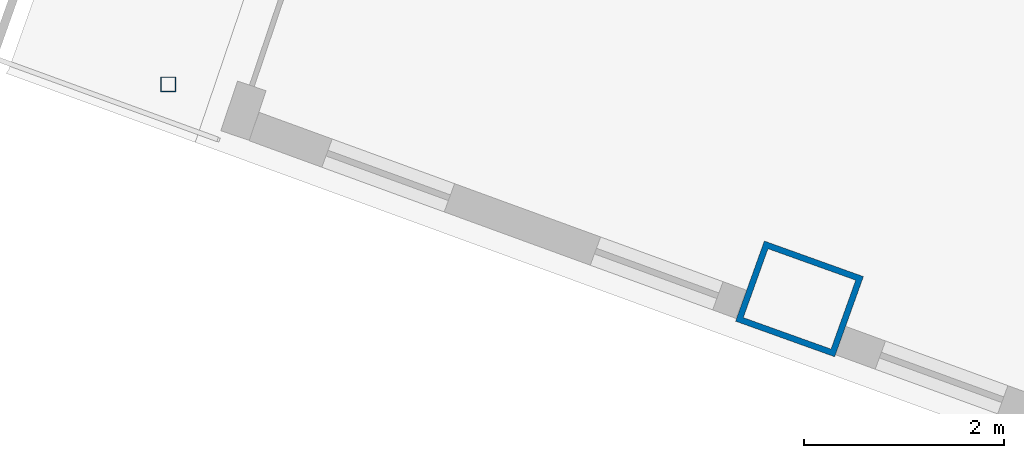
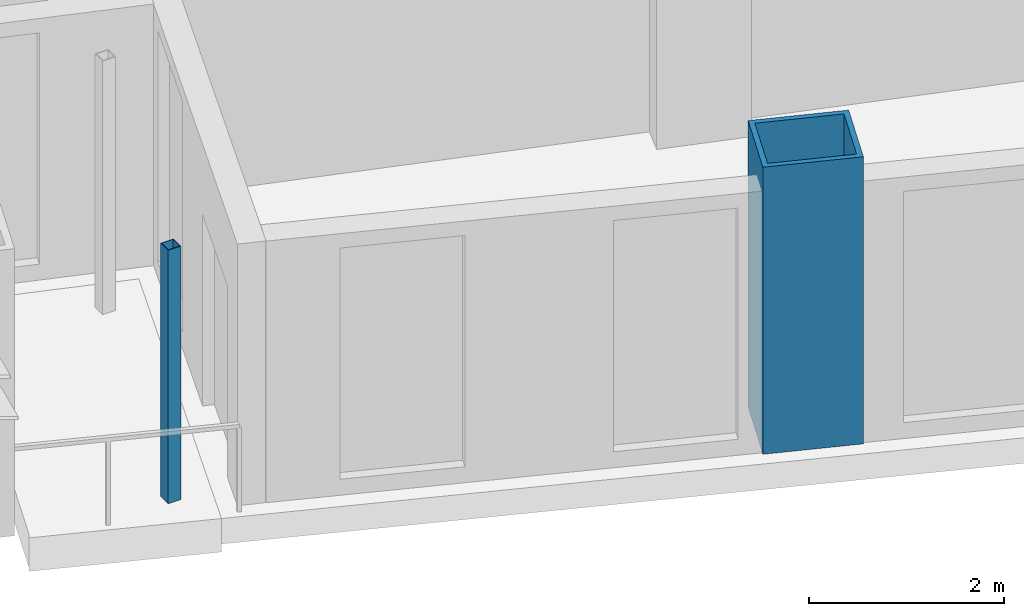
# One storey, part 1 of 25: 2 columns.
"""IFC4 building model written with IfcOpenShell, lengths in metres."""

import ifcopenshell
import ifcopenshell.guid

model = None  # the IFC model being written
_history = None  # IfcOwnerHistory: only IFC2X3 demands one
_inside = {}  # id of a spatial element -> (the spatial element, [elements in it])
_under = {}  # id of a project, library or spatial element -> (it, [spatial elements below it])
_declared = {}  # id of a project -> (the project, [libraries it declares])
_typed = {}  # id of a type object -> (the type object, [elements of that type])
_made_of = {}  # id of a material, layer set ... -> (it, [elements and type objects made of it])


def new_model(schema):
    """Start an empty IFC model of exactly this schema.

    Asked for "IFC4X3", IfcOpenShell would pick the latest addendum, in which some entities
    have other attributes; the version numbers below select the first issue.
    IFC2X3 requires an IfcOwnerHistory on every rooted entity: one is made here for all.
    """
    global model, _history
    if schema == "IFC4X3":
        model = ifcopenshell.file(schema_version=(4, 3, 0, 0))
    else:
        model = ifcopenshell.file(schema=schema)
    _inside.clear()
    _under.clear()
    _declared.clear()
    _typed.clear()
    _made_of.clear()
    _history = None
    if model.schema == "IFC2X3":
        org = make("IfcOrganization", Name="unknown")
        user = make(
            "IfcPersonAndOrganization",
            ThePerson=make("IfcPerson", FamilyName="unknown"),
            TheOrganization=org,
        )
        app = make(
            "IfcApplication",
            ApplicationDeveloper=org,
            Version="unknown",
            ApplicationFullName="unknown",
            ApplicationIdentifier="unknown",
        )
        _history = make(
            "IfcOwnerHistory",
            OwningUser=user,
            OwningApplication=app,
            ChangeAction="ADDED",
            CreationDate=0,
        )
    return model


def make(cls, **values):
    """One entity of the class cls with the attributes given. An attribute that is None is left unset."""
    return model.create_entity(
        cls, **{name: value for name, value in values.items() if value is not None}
    )


def rooted(cls, **values):
    """An entity with a GlobalId (a new one), such as an element, a storey or a relation."""
    return make(cls, GlobalId=ifcopenshell.guid.new(), OwnerHistory=_history, **values)


def si_unit(unit_type, name, prefix=None):
    """IfcSIUnit, for example si_unit("LENGTHUNIT", "METRE", prefix="MILLI")."""
    return make("IfcSIUnit", UnitType=unit_type, Prefix=prefix, Name=name)


def assignment(units):
    """IfcUnitAssignment: the units of a project."""
    return None if units is None else make("IfcUnitAssignment", Units=units)


def point(xyz):
    """IfcCartesianPoint."""
    return None if xyz is None else make("IfcCartesianPoint", Coordinates=xyz)


def direction(xyz):
    """IfcDirection."""
    return None if xyz is None else make("IfcDirection", DirectionRatios=xyz)


def frame(location, z_axis=None, x_axis=None):
    """IfcAxis2Placement3D, a coordinate frame: its origin and axes. An axis left out is left unset."""
    return make(
        "IfcAxis2Placement3D",
        Location=point(location),
        Axis=direction(z_axis),
        RefDirection=direction(x_axis),
    )


def frame_2d(location, x_axis=None):
    """IfcAxis2Placement2D, a coordinate frame in the plane: its origin and x axis."""
    return make(
        "IfcAxis2Placement2D", Location=point(location), RefDirection=direction(x_axis)
    )


def origin():
    """The frame at (0, 0, 0) with its axes left unset."""
    return frame((0.0, 0.0, 0.0))


def origin_2d():
    """The frame at (0, 0) in the plane with its x axis left unset."""
    return frame_2d((0.0, 0.0))


def place(relative_to, where):
    """IfcLocalPlacement: puts the frame where relative to a parent placement (None: the world)."""
    return make(
        "IfcLocalPlacement", PlacementRelTo=relative_to, RelativePlacement=where
    )


def context(
    kind, dimensions, precision=None, world=None, true_north=None, identifier=None
):
    """IfcGeometricRepresentationContext, for example the 3D "Model" context."""
    return make(
        "IfcGeometricRepresentationContext",
        ContextIdentifier=identifier,
        ContextType=kind,
        CoordinateSpaceDimension=dimensions,
        Precision=precision,
        WorldCoordinateSystem=world,
        TrueNorth=true_north,
    )


def subcontext(parent, identifier, kind, view, scale=None):
    """IfcGeometricRepresentationSubContext, for example "Body" below "Model"."""
    return make(
        "IfcGeometricRepresentationSubContext",
        ContextIdentifier=identifier,
        ContextType=kind,
        ParentContext=parent,
        TargetScale=scale,
        TargetView=view,
    )


def project(units=None, contexts=None):
    """IfcProject with its units and contexts."""
    return rooted(
        "IfcProject",
        Name="project",
        RepresentationContexts=contexts,
        UnitsInContext=assignment(units),
    )


def spatial(cls, under=None, at=None, **own):
    """A site, building, storey or space (cls), placed at a placement, below another one or the project."""
    s = rooted(cls, ObjectPlacement=at, **own)
    if under is not None:
        _under.setdefault(under.id(), (under, []))[1].append(s)
    return s


def profile(cls, at=None, kind="AREA", **sizes):
    """A parametric profile (cls). Its sizes go by their IFC names, for example OverallWidth=200.0."""
    return make(cls, ProfileType=kind, Position=at, **sizes)


def hollow_rectangle(**sizes):
    """IfcRectangleHollowProfileDef."""
    return profile("IfcRectangleHollowProfileDef", **sizes)


def extrude(swept, where, along, depth):
    """IfcExtrudedAreaSolid: the profile swept, set in the frame where, extruded along a direction by depth."""
    return make(
        "IfcExtrudedAreaSolid",
        SweptArea=swept,
        Position=where,
        ExtrudedDirection=direction(along),
        Depth=depth,
    )


def shape(context_of_items, identifier, shape_type, items):
    """IfcShapeRepresentation: the items that make up one representation, for example the "Body"."""
    return make(
        "IfcShapeRepresentation",
        ContextOfItems=context_of_items,
        RepresentationIdentifier=identifier,
        RepresentationType=shape_type,
        Items=items,
    )


def material(Name=None, Category=None):
    """IfcMaterial."""
    return make("IfcMaterial", Name=Name, Category=Category)


def material_profile(
    of_material, cross_section, Name=None, Category=None, Priority=None
):
    """IfcMaterialProfile: a cross section and its material."""
    return make(
        "IfcMaterialProfile",
        Name=Name,
        Material=of_material,
        Profile=cross_section,
        Priority=Priority,
        Category=Category,
    )


def profile_set(profiles, Name=None, composite=None):
    """IfcMaterialProfileSet."""
    return make(
        "IfcMaterialProfileSet",
        Name=Name,
        MaterialProfiles=profiles,
        CompositeProfile=composite,
    )


def made_of(thing, what):
    """Note that an element or type object is made of a material, layer set ...; save() writes the relation."""
    if what is not None:
        _made_of.setdefault(what.id(), (what, []))[1].append(thing)
    return thing


def type_object(cls, material=None, **own):
    """A type object (cls), such as IfcWallType, which elements share."""
    return made_of(rooted(cls, **own), material)


def element(
    cls,
    number,
    at=None,
    inside=None,
    cuts=None,
    type_object=None,
    material=None,
    context=None,
    identifier="Body",
    shape_type=None,
    held_by="IfcProductDefinitionShape",
    body=None,
    shapes=None,
    **own,
):
    """One element of the class cls, such as IfcWall. Its Tag is "e" and its number.

    at: its placement. inside: the storey or other place that contains it. cuts: it is an
    opening in that element (IfcRelVoidsElement). A single representation is given by context,
    identifier, shape_type and body (its items); several are given by shapes. held_by: the class
    of the entity that holds the representations. save() writes the other relations.
    """
    e = rooted(cls, Tag="e%d" % number, ObjectPlacement=at, **own)
    if body is not None:
        shapes = [shape(context, identifier, shape_type, body)]
    if shapes is not None:
        e.Representation = make(held_by, Representations=shapes)
    if inside is not None:
        _inside.setdefault(inside.id(), (inside, []))[1].append(e)
    if cuts is not None:
        rooted(
            "IfcRelVoidsElement", RelatingBuildingElement=cuts, RelatedOpeningElement=e
        )
    if type_object is not None:
        _typed.setdefault(type_object.id(), (type_object, []))[1].append(e)
    return made_of(e, material)


def aggregate(whole, parts):
    """IfcRelAggregates: a whole, such as a stair, and the parts it consists of."""
    return rooted("IfcRelAggregates", RelatingObject=whole, RelatedObjects=parts)


def save(model, path):
    """Write the relations noted so far, then the file.

    IfcRelAggregates (storeys below a building ...), IfcRelContainedInSpatialStructure (elements
    in a storey), IfcRelDefinesByType, IfcRelAssociatesMaterial and IfcRelDeclares: one each for
    every whole, place, type object, material and project.
    """
    for whole, parts in _under.values():
        aggregate(whole, parts)
    for where, things in _inside.values():
        rooted(
            "IfcRelContainedInSpatialStructure",
            RelatedElements=things,
            RelatingStructure=where,
        )
    for kind, things in _typed.values():
        rooted("IfcRelDefinesByType", RelatedObjects=things, RelatingType=kind)
    for what, things in _made_of.values():
        rooted("IfcRelAssociatesMaterial", RelatedObjects=things, RelatingMaterial=what)
    for by, libraries in _declared.values():
        rooted("IfcRelDeclares", RelatingContext=by, RelatedDefinitions=libraries)
    model.write(path)


model = new_model("IFC4")

# Units and contexts
model_context = context("Model", 3, precision=1e-05, world=origin(), true_north=direction((0.0, 1.0)))
body_context = subcontext(model_context, "Body", "Model", "MODEL_VIEW")
ifc_project = project(units=[si_unit("LENGTHUNIT", "METRE"), si_unit("AREAUNIT", "SQUARE_METRE"), si_unit("VOLUMEUNIT", "CUBIC_METRE"), si_unit("PLANEANGLEUNIT", "RADIAN"), si_unit("MASSUNIT", "GRAM", prefix="KILO")], contexts=[model_context])

# Site, building, storey
site_placement = place(None, origin())
site = spatial("IfcSite", under=ifc_project, at=site_placement, CompositionType="ELEMENT")
building_placement = place(site_placement, origin())
building = spatial("IfcBuilding", under=site, at=building_placement, Name="Alderwake Tower", CompositionType="ELEMENT")
storey_placement = place(building_placement, frame((0.0, 0.0, 122.0)))
storey = spatial("IfcBuildingStorey", under=building, at=storey_placement, Name="L30", CompositionType="ELEMENT", Elevation=122.0)

# Columns
ifc_material_1 = material(Name="Steel ASTM A572 Grade 50 concrete filled C70/85", Category="concrete")
ifc_material_profile_1 = material_profile(ifc_material_1, hollow_rectangle(XDim=0.85009765625, YDim=1.050048828125, WallThickness=0.06005859375, at=origin_2d()), Name="BOX 1050X850X60")
ifc_profile_set_1 = profile_set([ifc_material_profile_1], Name="Steel ASTM A572 Grade 50 concrete filled C70/85")
column_type_1 = type_object("IfcColumnType", Name="End column Z2", PredefinedType="COLUMN", material=ifc_profile_set_1)
column_1_placement = place(storey_placement, frame((19.965576171875, 25.1484375, 0.0), z_axis=(0.0, 0.0, 1.0), x_axis=(0.337584879279, 0.9412950915, 0.0)))
element("IfcColumn", 1, at=column_1_placement, inside=storey, type_object=column_type_1, Name="Column R01-C1", PredefinedType="COLUMN", context=body_context, shape_type="SweptSolid", body=[
    extrude(hollow_rectangle(XDim=0.85009765625, YDim=1.050048828125, WallThickness=0.06005859375, at=origin_2d()), origin(), (0.0, 0.0, 1.0), 3.60009765625),
])
ifc_material_2 = material(Name="Steel ASTM A500 Grade C", Category="steel")
ifc_material_profile_2 = material_profile(ifc_material_2, hollow_rectangle(XDim=0.15234375, YDim=0.15234375, WallThickness=0.0087890625, at=origin_2d()), Name="HSS6X6X3/8")
ifc_profile_set_2 = profile_set([ifc_material_profile_2], Name="Steel ASTM A500 Grade C")
column_type_2 = type_object("IfcColumnType", Name="Light post HSS6X6X3/8", PredefinedType="COLUMN", material=ifc_profile_set_2)
column_2_placement = place(storey_placement, frame((13.66796875, 27.28759765625, 0.0), z_axis=(0.0, 0.0, 1.0), x_axis=(1.0, 0.0, 0.0)))
element("IfcColumn", 2, at=column_2_placement, inside=storey, type_object=column_type_2, Name="Terrace post RS2", PredefinedType="COLUMN", context=body_context, shape_type="SweptSolid", body=[
    extrude(hollow_rectangle(XDim=0.15234375, YDim=0.15234375, WallThickness=0.0087890625, at=origin_2d()), origin(), (0.0, 0.0, 1.0), 3.179931640625),
])

save(model, "model.ifc")
